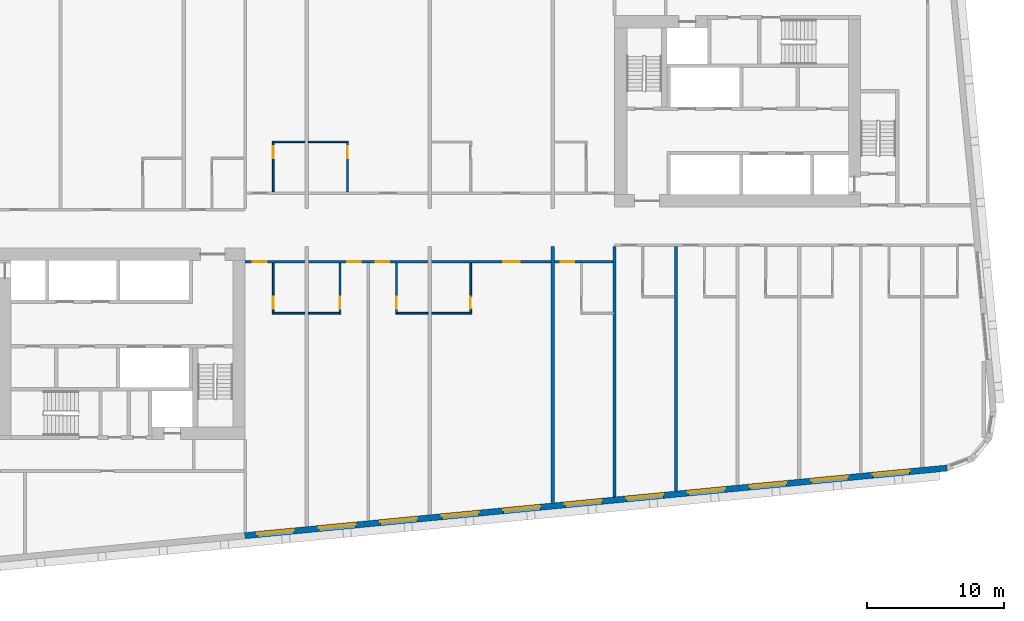
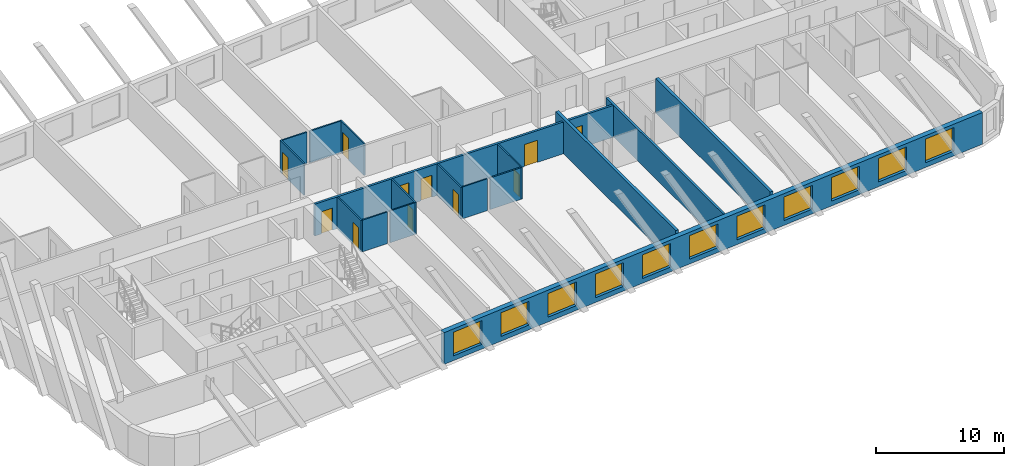
# One storey, part 4 of 13: 17 walls, 11 doors, 11 windows, 22 openings.
"""IFC4 building model written with IfcOpenShell, lengths in metres."""

from ifc_helpers import new_model, si_unit, direction, frame, frame_2d, origin, place, context, subcontext, project, spatial, rectangle, extrude, material, layer, layer_set, type_object, element, fill, save


model = new_model("IFC4")

# Units and contexts
model_context = context("Model", 3, precision=1e-05, world=origin(), true_north=direction((0.0, 1.0)))
body_context = subcontext(model_context, "Body", "Model", "MODEL_VIEW")
ifc_project = project(units=[si_unit("LENGTHUNIT", "METRE"), si_unit("AREAUNIT", "SQUARE_METRE"), si_unit("VOLUMEUNIT", "CUBIC_METRE"), si_unit("PLANEANGLEUNIT", "RADIAN"), si_unit("MASSUNIT", "GRAM", prefix="KILO")], contexts=[model_context])

# Site, building, storey
site_placement = place(None, origin())
site = spatial("IfcSite", under=ifc_project, at=site_placement, CompositionType="ELEMENT")
building_placement = place(site_placement, origin())
building = spatial("IfcBuilding", under=site, at=building_placement, Name="Kajstack Hotel Tower", CompositionType="ELEMENT")
storey_placement = place(building_placement, frame((0.0, 0.0, 186.699951171875)))
storey = spatial("IfcBuildingStorey", under=building, at=storey_placement, Name="L44", CompositionType="ELEMENT", Elevation=186.699951171875)

# Wall, openings, doors
ifc_material_1 = material(Name="Gypsum board on steel studs, mineral wool", Category="steel")
ifc_layer_1 = layer(ifc_material_1, 0.199951171875)
ifc_layer_set_1 = layer_set([ifc_layer_1], Name="Corridor wall 200")
wall_type_1 = type_object("IfcWallType", Name="Corridor wall 200", PredefinedType="PARTITIONING", material=ifc_layer_set_1)
wall_1_placement = place(storey_placement, frame((-13.5, -2.5, 0.0), z_axis=(0.0, 0.0, 1.0), x_axis=(1.0, 0.0, 0.0)))
wall_1 = element("IfcWall", 1, at=wall_1_placement, inside=storey, type_object=wall_type_1, Name="G-wall-L44-022", PredefinedType="PARTITIONING", context=body_context, shape_type="SweptSolid", body=[
    extrude(rectangle(XDim=27.0, YDim=0.199951171875, at=frame_2d((13.5, 0.0))), origin(), (0.0, 0.0, 1.0), 3.02001953125),
])
opening_1_placement = place(wall_1_placement, frame((0.574951171875, 0.0, 0.0)))
opening_1 = element("IfcOpeningElement", 2, at=opening_1_placement, cuts=wall_1, Name="Opening 44017", PredefinedType="OPENING", context=body_context, shape_type="SweptSolid", body=[
    extrude(rectangle(XDim=1.0, YDim=2.10009765625, at=frame_2d((0.5, 1.050048828125))), frame((0.0, 0.10986328125, 0.0), z_axis=(0.0, -1.0, 0.0), x_axis=(1.0, 0.0, 0.0)), (0.0, 0.0, 1.0), 0.219970703125),
])
opening_2_placement = place(wall_1_placement, frame((7.449951171875, 0.0, 0.0)))
opening_2 = element("IfcOpeningElement", 3, at=opening_2_placement, cuts=wall_1, Name="Opening 44019", PredefinedType="OPENING", context=body_context, shape_type="SweptSolid", body=[
    extrude(rectangle(XDim=1.0, YDim=2.10009765625, at=frame_2d((0.5, 1.050048828125))), frame((0.0, 0.10986328125, 0.0), z_axis=(0.0, -1.0, 0.0), x_axis=(1.0, 0.0, 0.0)), (0.0, 0.0, 1.0), 0.219970703125),
])
opening_3_placement = place(wall_1_placement, frame((9.550048828125, 0.0, 0.0)))
opening_3 = element("IfcOpeningElement", 4, at=opening_3_placement, cuts=wall_1, Name="Opening 44021", PredefinedType="OPENING", context=body_context, shape_type="SweptSolid", body=[
    extrude(rectangle(XDim=1.0, YDim=2.10009765625, at=frame_2d((0.5, 1.050048828125))), frame((0.0, 0.10986328125, 0.0), z_axis=(0.0, -1.0, 0.0), x_axis=(1.0, 0.0, 0.0)), (0.0, 0.0, 1.0), 0.219970703125),
])
opening_4_placement = place(wall_1_placement, frame((18.862060546875, 0.0, 0.0)))
opening_4 = element("IfcOpeningElement", 5, at=opening_4_placement, cuts=wall_1, Name="Opening 44023", PredefinedType="OPENING", context=body_context, shape_type="SweptSolid", body=[
    extrude(rectangle(XDim=1.199951171875, YDim=2.10009765625, at=frame_2d((0.60009765625, 1.050048828125))), frame((0.0, 0.10986328125, 0.0), z_axis=(0.0, -1.0, 0.0), x_axis=(1.0, 0.0, 0.0)), (0.0, 0.0, 1.0), 0.219970703125),
])
opening_5_placement = place(wall_1_placement, frame((23.074951171875, 0.0, 0.0)))
opening_5 = element("IfcOpeningElement", 6, at=opening_5_placement, cuts=wall_1, Name="Opening 44025", PredefinedType="OPENING", context=body_context, shape_type="SweptSolid", body=[
    extrude(rectangle(XDim=1.0, YDim=2.10009765625, at=frame_2d((0.5, 1.050048828125))), frame((0.0, 0.10986328125, 0.0), z_axis=(0.0, -1.0, 0.0), x_axis=(1.0, 0.0, 0.0)), (0.0, 0.0, 1.0), 0.219970703125),
])
ifc_material_2 = material(Name="Oak veneer on timber core, fire-rated leaf", Category="wood")
door_type_1 = type_object("IfcDoorType", Name="Flat entrance door 1000", OperationType="SINGLE_SWING_LEFT", PredefinedType="DOOR", material=ifc_material_2)
door_1_placement = place(opening_1_placement, origin())
door_1 = element("IfcDoor", 7, at=door_1_placement, inside=storey, type_object=door_type_1, Name="G-door-L44-17", OperationType="SINGLE_SWING_RIGHT", OverallHeight=2.10009765625, OverallWidth=1.0, PredefinedType="DOOR", context=body_context, shape_type="SweptSolid", body=[
    extrude(rectangle(XDim=1.0, YDim=2.10009765625, at=frame_2d((0.5, 1.050048828125))), frame((0.0, 0.02490234375, 0.0), z_axis=(0.0, -1.0, 0.0), x_axis=(1.0, 0.0, 0.0)), (0.0, 0.0, 1.0), 0.050048828125),
])
fill(opening_1, door_1)
door_2_placement = place(opening_2_placement, origin())
door_2 = element("IfcDoor", 8, at=door_2_placement, inside=storey, type_object=door_type_1, Name="G-door-L44-19", OperationType="SINGLE_SWING_LEFT", OverallHeight=2.10009765625, OverallWidth=1.0, PredefinedType="DOOR", context=body_context, shape_type="SweptSolid", body=[
    extrude(rectangle(XDim=1.0, YDim=2.10009765625, at=frame_2d((0.5, 1.050048828125))), frame((0.0, 0.02490234375, 0.0), z_axis=(0.0, -1.0, 0.0), x_axis=(1.0, 0.0, 0.0)), (0.0, 0.0, 1.0), 0.050048828125),
])
fill(opening_2, door_2)
door_3_placement = place(opening_3_placement, origin())
door_3 = element("IfcDoor", 9, at=door_3_placement, inside=storey, type_object=door_type_1, Name="G-door-L44-21", OperationType="SINGLE_SWING_LEFT", OverallHeight=2.10009765625, OverallWidth=1.0, PredefinedType="DOOR", context=body_context, shape_type="SweptSolid", body=[
    extrude(rectangle(XDim=1.0, YDim=2.10009765625, at=frame_2d((0.5, 1.050048828125))), frame((0.0, 0.02490234375, 0.0), z_axis=(0.0, -1.0, 0.0), x_axis=(1.0, 0.0, 0.0)), (0.0, 0.0, 1.0), 0.050048828125),
])
fill(opening_3, door_3)
door_4_placement = place(opening_5_placement, origin())
door_4 = element("IfcDoor", 10, at=door_4_placement, inside=storey, type_object=door_type_1, Name="G-door-L44-25", OperationType="SINGLE_SWING_RIGHT", OverallHeight=2.10009765625, OverallWidth=1.0, PredefinedType="DOOR", context=body_context, shape_type="SweptSolid", body=[
    extrude(rectangle(XDim=1.0, YDim=2.10009765625, at=frame_2d((0.5, 1.050048828125))), frame((0.0, 0.02490234375, 0.0), z_axis=(0.0, -1.0, 0.0), x_axis=(1.0, 0.0, 0.0)), (0.0, 0.0, 1.0), 0.050048828125),
])
fill(opening_5, door_4)
door_type_2 = type_object("IfcDoorType", Name="Flat entrance door 1200", OperationType="SINGLE_SWING_LEFT", PredefinedType="DOOR", material=ifc_material_2)
door_5_placement = place(opening_4_placement, origin())
door_5 = element("IfcDoor", 11, at=door_5_placement, inside=storey, type_object=door_type_2, Name="G-door-L44-23", OperationType="SINGLE_SWING_RIGHT", OverallHeight=2.10009765625, OverallWidth=1.199951171875, PredefinedType="DOOR", context=body_context, shape_type="SweptSolid", body=[
    extrude(rectangle(XDim=1.199951171875, YDim=2.10009765625, at=frame_2d((0.60009765625, 1.050048828125))), frame((0.0, 0.02490234375, 0.0), z_axis=(0.0, -1.0, 0.0), x_axis=(1.0, 0.0, 0.0)), (0.0, 0.0, 1.0), 0.050048828125),
])
fill(opening_4, door_5)

# Wall
ifc_material_3 = material(Name="Twin-frame gypsum board on steel studs, mineral wool", Category="steel")
ifc_layer_2 = layer(ifc_material_3, 0.199951171875)
ifc_layer_set_2 = layer_set([ifc_layer_2], Name="Demising wall 200")
wall_type_2 = type_object("IfcWallType", Name="Demising wall 200", PredefinedType="PARTITIONING", material=ifc_layer_set_2)
wall_2_placement = place(storey_placement, frame((13.5, -19.700927734375, 0.0), z_axis=(0.0, 0.0, 1.0), x_axis=(0.0, 1.0, 0.0)))
element("IfcWall", 12, at=wall_2_placement, inside=storey, type_object=wall_type_2, Name="G-wall-L44-033", PredefinedType="PARTITIONING", context=body_context, shape_type="SweptSolid", body=[
    extrude(rectangle(XDim=18.301025390625, YDim=0.199951171875, at=frame_2d((9.150390625, 0.0))), origin(), (0.0, 0.0, 1.0), 3.02001953125),
])

# Wall, openings, windows
ifc_material_4 = material(Name="Terracotta-faced brick masonry", Category="masonry")
ifc_layer_3 = layer(ifc_material_4, 0.449951171875)
ifc_layer_set_3 = layer_set([ifc_layer_3], Name="EW-TERRA")
wall_type_3 = type_object("IfcWallType", Name="EW-TERRA", PredefinedType="SOLIDWALL", material=ifc_layer_set_3)
wall_3_placement = place(storey_placement, frame((-13.521484375, -22.528564453125, 0.0), z_axis=(0.0, 0.0, 1.0), x_axis=(0.995396436651, 0.095843277819, 0.0)))
wall_3 = element("IfcWall", 13, at=wall_3_placement, inside=storey, type_object=wall_type_3, Name="E-wall-L44-04-02", PredefinedType="SOLIDWALL", context=body_context, shape_type="SweptSolid", body=[
    extrude(rectangle(XDim=51.57763671875, YDim=0.449951171875, at=frame_2d((25.788818359375, 0.0))), origin(), (0.0, 0.0, 1.0), 3.02001953125),
])
opening_6_placement = place(wall_3_placement, frame((0.910400390625, 0.0, 0.449951171875)))
opening_6 = element("IfcOpeningElement", 14, at=opening_6_placement, cuts=wall_3, Name="Opening W1", PredefinedType="OPENING", context=body_context, shape_type="SweptSolid", body=[
    extrude(rectangle(XDim=2.699951171875, YDim=2.25, at=frame_2d((1.35009765625, 1.125))), frame((0.0, 0.23486328125, 0.0), z_axis=(0.0, -1.0, 0.0), x_axis=(1.0, 0.0, 0.0)), (0.0, 0.0, 1.0), 0.469970703125),
])
opening_7_placement = place(wall_3_placement, frame((5.431396484375, 0.0, 0.449951171875)))
opening_7 = element("IfcOpeningElement", 15, at=opening_7_placement, cuts=wall_3, Name="Opening W1", PredefinedType="OPENING", context=body_context, shape_type="SweptSolid", body=[
    extrude(rectangle(XDim=2.699951171875, YDim=2.25, at=frame_2d((1.35009765625, 1.125))), frame((0.0, 0.23486328125, 0.0), z_axis=(0.0, -1.0, 0.0), x_axis=(1.0, 0.0, 0.0)), (0.0, 0.0, 1.0), 0.469970703125),
])
opening_8_placement = place(wall_3_placement, frame((9.9521484375, 0.0, 0.449951171875)))
opening_8 = element("IfcOpeningElement", 16, at=opening_8_placement, cuts=wall_3, Name="Opening W1", PredefinedType="OPENING", context=body_context, shape_type="SweptSolid", body=[
    extrude(rectangle(XDim=2.699951171875, YDim=2.25, at=frame_2d((1.35009765625, 1.125))), frame((0.0, 0.23486328125, 0.0), z_axis=(0.0, -1.0, 0.0), x_axis=(1.0, 0.0, 0.0)), (0.0, 0.0, 1.0), 0.469970703125),
])
opening_9_placement = place(wall_3_placement, frame((14.472900390625, 0.0, 0.449951171875)))
opening_9 = element("IfcOpeningElement", 17, at=opening_9_placement, cuts=wall_3, Name="Opening W1", PredefinedType="OPENING", context=body_context, shape_type="SweptSolid", body=[
    extrude(rectangle(XDim=2.699951171875, YDim=2.25, at=frame_2d((1.35009765625, 1.125))), frame((0.0, 0.23486328125, 0.0), z_axis=(0.0, -1.0, 0.0), x_axis=(1.0, 0.0, 0.0)), (0.0, 0.0, 1.0), 0.469970703125),
])
opening_10_placement = place(wall_3_placement, frame((18.99365234375, 0.0, 0.449951171875)))
opening_10 = element("IfcOpeningElement", 18, at=opening_10_placement, cuts=wall_3, Name="Opening W1", PredefinedType="OPENING", context=body_context, shape_type="SweptSolid", body=[
    extrude(rectangle(XDim=2.699951171875, YDim=2.25, at=frame_2d((1.35009765625, 1.125))), frame((0.0, 0.23486328125, 0.0), z_axis=(0.0, -1.0, 0.0), x_axis=(1.0, 0.0, 0.0)), (0.0, 0.0, 1.0), 0.469970703125),
])
opening_11_placement = place(wall_3_placement, frame((23.514404296875, 0.0, 0.449951171875)))
opening_11 = element("IfcOpeningElement", 19, at=opening_11_placement, cuts=wall_3, Name="Opening W1", PredefinedType="OPENING", context=body_context, shape_type="SweptSolid", body=[
    extrude(rectangle(XDim=2.699951171875, YDim=2.25, at=frame_2d((1.35009765625, 1.125))), frame((0.0, 0.23486328125, 0.0), z_axis=(0.0, -1.0, 0.0), x_axis=(1.0, 0.0, 0.0)), (0.0, 0.0, 1.0), 0.469970703125),
])
opening_12_placement = place(wall_3_placement, frame((28.035400390625, 0.0, 0.449951171875)))
opening_12 = element("IfcOpeningElement", 20, at=opening_12_placement, cuts=wall_3, Name="Opening W1", PredefinedType="OPENING", context=body_context, shape_type="SweptSolid", body=[
    extrude(rectangle(XDim=2.699951171875, YDim=2.25, at=frame_2d((1.35009765625, 1.125))), frame((0.0, 0.23486328125, 0.0), z_axis=(0.0, -1.0, 0.0), x_axis=(1.0, 0.0, 0.0)), (0.0, 0.0, 1.0), 0.469970703125),
])
opening_13_placement = place(wall_3_placement, frame((32.55615234375, 0.0, 0.449951171875)))
opening_13 = element("IfcOpeningElement", 21, at=opening_13_placement, cuts=wall_3, Name="Opening W1", PredefinedType="OPENING", context=body_context, shape_type="SweptSolid", body=[
    extrude(rectangle(XDim=2.699951171875, YDim=2.25, at=frame_2d((1.35009765625, 1.125))), frame((0.0, 0.23486328125, 0.0), z_axis=(0.0, -1.0, 0.0), x_axis=(1.0, 0.0, 0.0)), (0.0, 0.0, 1.0), 0.469970703125),
])
opening_14_placement = place(wall_3_placement, frame((37.076904296875, 0.0, 0.449951171875)))
opening_14 = element("IfcOpeningElement", 22, at=opening_14_placement, cuts=wall_3, Name="Opening W1", PredefinedType="OPENING", context=body_context, shape_type="SweptSolid", body=[
    extrude(rectangle(XDim=2.699951171875, YDim=2.25, at=frame_2d((1.35009765625, 1.125))), frame((0.0, 0.23486328125, 0.0), z_axis=(0.0, -1.0, 0.0), x_axis=(1.0, 0.0, 0.0)), (0.0, 0.0, 1.0), 0.469970703125),
])
opening_15_placement = place(wall_3_placement, frame((41.597900390625, 0.0, 0.449951171875)))
opening_15 = element("IfcOpeningElement", 23, at=opening_15_placement, cuts=wall_3, Name="Opening W1", PredefinedType="OPENING", context=body_context, shape_type="SweptSolid", body=[
    extrude(rectangle(XDim=2.699951171875, YDim=2.25, at=frame_2d((1.35009765625, 1.125))), frame((0.0, 0.23486328125, 0.0), z_axis=(0.0, -1.0, 0.0), x_axis=(1.0, 0.0, 0.0)), (0.0, 0.0, 1.0), 0.469970703125),
])
opening_16_placement = place(wall_3_placement, frame((46.11865234375, 0.0, 0.449951171875)))
opening_16 = element("IfcOpeningElement", 24, at=opening_16_placement, cuts=wall_3, Name="Opening W1", PredefinedType="OPENING", context=body_context, shape_type="SweptSolid", body=[
    extrude(rectangle(XDim=2.699951171875, YDim=2.25, at=frame_2d((1.35009765625, 1.125))), frame((0.0, 0.23486328125, 0.0), z_axis=(0.0, -1.0, 0.0), x_axis=(1.0, 0.0, 0.0)), (0.0, 0.0, 1.0), 0.469970703125),
])
ifc_material_5 = material(Name="Timber-aluminium window, triple glazed", Category="wood")
window_type = type_object("IfcWindowType", Name="WG1", PartitioningType="SINGLE_PANEL", PredefinedType="WINDOW", material=ifc_material_5)
window_1_placement = place(opening_6_placement, origin())
window_1 = element("IfcWindow", 25, at=window_1_placement, inside=storey, type_object=window_type, Name="Window W1 L44-04", OverallHeight=2.25, OverallWidth=2.699951171875, PartitioningType="SINGLE_PANEL", PredefinedType="WINDOW", context=body_context, shape_type="SweptSolid", body=[
    extrude(rectangle(XDim=2.699951171875, YDim=2.25, at=frame_2d((1.35009765625, 1.125))), frame((0.0, 0.090087890625, 0.0), z_axis=(0.0, -1.0, 0.0), x_axis=(1.0, 0.0, 0.0)), (0.0, 0.0, 1.0), 0.06005859375),
])
fill(opening_6, window_1)
window_2_placement = place(opening_7_placement, origin())
window_2 = element("IfcWindow", 26, at=window_2_placement, inside=storey, type_object=window_type, Name="Window W1 L44-04", OverallHeight=2.25, OverallWidth=2.699951171875, PartitioningType="SINGLE_PANEL", PredefinedType="WINDOW", context=body_context, shape_type="SweptSolid", body=[
    extrude(rectangle(XDim=2.699951171875, YDim=2.25, at=frame_2d((1.35009765625, 1.125))), frame((0.0, 0.090087890625, 0.0), z_axis=(0.0, -1.0, 0.0), x_axis=(1.0, 0.0, 0.0)), (0.0, 0.0, 1.0), 0.06005859375),
])
fill(opening_7, window_2)
window_3_placement = place(opening_8_placement, origin())
window_3 = element("IfcWindow", 27, at=window_3_placement, inside=storey, type_object=window_type, Name="Window W1 L44-04", OverallHeight=2.25, OverallWidth=2.699951171875, PartitioningType="SINGLE_PANEL", PredefinedType="WINDOW", context=body_context, shape_type="SweptSolid", body=[
    extrude(rectangle(XDim=2.699951171875, YDim=2.25, at=frame_2d((1.35009765625, 1.125))), frame((0.0, 0.090087890625, 0.0), z_axis=(0.0, -1.0, 0.0), x_axis=(1.0, 0.0, 0.0)), (0.0, 0.0, 1.0), 0.06005859375),
])
fill(opening_8, window_3)
window_4_placement = place(opening_9_placement, origin())
window_4 = element("IfcWindow", 28, at=window_4_placement, inside=storey, type_object=window_type, Name="Window W1 L44-04", OverallHeight=2.25, OverallWidth=2.699951171875, PartitioningType="SINGLE_PANEL", PredefinedType="WINDOW", context=body_context, shape_type="SweptSolid", body=[
    extrude(rectangle(XDim=2.699951171875, YDim=2.25, at=frame_2d((1.35009765625, 1.125))), frame((0.0, 0.090087890625, 0.0), z_axis=(0.0, -1.0, 0.0), x_axis=(1.0, 0.0, 0.0)), (0.0, 0.0, 1.0), 0.06005859375),
])
fill(opening_9, window_4)
window_5_placement = place(opening_10_placement, origin())
window_5 = element("IfcWindow", 29, at=window_5_placement, inside=storey, type_object=window_type, Name="Window W1 L44-04", OverallHeight=2.25, OverallWidth=2.699951171875, PartitioningType="SINGLE_PANEL", PredefinedType="WINDOW", context=body_context, shape_type="SweptSolid", body=[
    extrude(rectangle(XDim=2.699951171875, YDim=2.25, at=frame_2d((1.35009765625, 1.125))), frame((0.0, 0.090087890625, 0.0), z_axis=(0.0, -1.0, 0.0), x_axis=(1.0, 0.0, 0.0)), (0.0, 0.0, 1.0), 0.06005859375),
])
fill(opening_10, window_5)
window_6_placement = place(opening_11_placement, origin())
window_6 = element("IfcWindow", 30, at=window_6_placement, inside=storey, type_object=window_type, Name="Window W1 L44-04", OverallHeight=2.25, OverallWidth=2.699951171875, PartitioningType="SINGLE_PANEL", PredefinedType="WINDOW", context=body_context, shape_type="SweptSolid", body=[
    extrude(rectangle(XDim=2.699951171875, YDim=2.25, at=frame_2d((1.35009765625, 1.125))), frame((0.0, 0.090087890625, 0.0), z_axis=(0.0, -1.0, 0.0), x_axis=(1.0, 0.0, 0.0)), (0.0, 0.0, 1.0), 0.06005859375),
])
fill(opening_11, window_6)
window_7_placement = place(opening_12_placement, origin())
window_7 = element("IfcWindow", 31, at=window_7_placement, inside=storey, type_object=window_type, Name="Window W1 L44-04", OverallHeight=2.25, OverallWidth=2.699951171875, PartitioningType="SINGLE_PANEL", PredefinedType="WINDOW", context=body_context, shape_type="SweptSolid", body=[
    extrude(rectangle(XDim=2.699951171875, YDim=2.25, at=frame_2d((1.35009765625, 1.125))), frame((0.0, 0.090087890625, 0.0), z_axis=(0.0, -1.0, 0.0), x_axis=(1.0, 0.0, 0.0)), (0.0, 0.0, 1.0), 0.06005859375),
])
fill(opening_12, window_7)
window_8_placement = place(opening_13_placement, origin())
window_8 = element("IfcWindow", 32, at=window_8_placement, inside=storey, type_object=window_type, Name="Window W1 L44-04", OverallHeight=2.25, OverallWidth=2.699951171875, PartitioningType="SINGLE_PANEL", PredefinedType="WINDOW", context=body_context, shape_type="SweptSolid", body=[
    extrude(rectangle(XDim=2.699951171875, YDim=2.25, at=frame_2d((1.35009765625, 1.125))), frame((0.0, 0.090087890625, 0.0), z_axis=(0.0, -1.0, 0.0), x_axis=(1.0, 0.0, 0.0)), (0.0, 0.0, 1.0), 0.06005859375),
])
fill(opening_13, window_8)
window_9_placement = place(opening_14_placement, origin())
window_9 = element("IfcWindow", 33, at=window_9_placement, inside=storey, type_object=window_type, Name="Window W1 L44-04", OverallHeight=2.25, OverallWidth=2.699951171875, PartitioningType="SINGLE_PANEL", PredefinedType="WINDOW", context=body_context, shape_type="SweptSolid", body=[
    extrude(rectangle(XDim=2.699951171875, YDim=2.25, at=frame_2d((1.35009765625, 1.125))), frame((0.0, 0.090087890625, 0.0), z_axis=(0.0, -1.0, 0.0), x_axis=(1.0, 0.0, 0.0)), (0.0, 0.0, 1.0), 0.06005859375),
])
fill(opening_14, window_9)
window_10_placement = place(opening_15_placement, origin())
window_10 = element("IfcWindow", 34, at=window_10_placement, inside=storey, type_object=window_type, Name="Window W1 L44-04", OverallHeight=2.25, OverallWidth=2.699951171875, PartitioningType="SINGLE_PANEL", PredefinedType="WINDOW", context=body_context, shape_type="SweptSolid", body=[
    extrude(rectangle(XDim=2.699951171875, YDim=2.25, at=frame_2d((1.35009765625, 1.125))), frame((0.0, 0.090087890625, 0.0), z_axis=(0.0, -1.0, 0.0), x_axis=(1.0, 0.0, 0.0)), (0.0, 0.0, 1.0), 0.06005859375),
])
fill(opening_15, window_10)
window_11_placement = place(opening_16_placement, origin())
window_11 = element("IfcWindow", 35, at=window_11_placement, inside=storey, type_object=window_type, Name="Window W1 L44-04", OverallHeight=2.25, OverallWidth=2.699951171875, PartitioningType="SINGLE_PANEL", PredefinedType="WINDOW", context=body_context, shape_type="SweptSolid", body=[
    extrude(rectangle(XDim=2.699951171875, YDim=2.25, at=frame_2d((1.35009765625, 1.125))), frame((0.0, 0.090087890625, 0.0), z_axis=(0.0, -1.0, 0.0), x_axis=(1.0, 0.0, 0.0)), (0.0, 0.0, 1.0), 0.06005859375),
])
fill(opening_16, window_11)

# Wall, opening, door
ifc_material_6 = material(Name="Gypsum board and tiled backer on steel studs", Category="steel")
ifc_layer_4 = layer(ifc_material_6, 0.125)
ifc_layer_set_4 = layer_set([ifc_layer_4], Name="En-suite wall 125")
wall_type_4 = type_object("IfcWallType", Name="En-suite wall 125", PredefinedType="PARTITIONING", material=ifc_layer_set_4)
wall_4_placement = place(storey_placement, frame((-11.43798828125, 2.60009765625, 0.0), z_axis=(0.0, 0.0, 1.0), x_axis=(0.0, 1.0, 0.0)))
wall_4 = element("IfcWall", 36, at=wall_4_placement, inside=storey, type_object=wall_type_4, Name="G-wall-L44-014", PredefinedType="PARTITIONING", context=body_context, shape_type="SweptSolid", body=[
    extrude(rectangle(XDim=3.724853515625, YDim=0.125, at=frame_2d((1.8623046875, 0.0))), origin(), (0.0, 0.0, 1.0), 3.02001953125),
])
opening_17_placement = place(wall_4_placement, frame((2.449951171875, 0.0, 0.0)))
opening_17 = element("IfcOpeningElement", 37, at=opening_17_placement, cuts=wall_4, Name="Opening 44010", PredefinedType="OPENING", context=body_context, shape_type="SweptSolid", body=[
    extrude(rectangle(XDim=0.89990234375, YDim=2.10009765625, at=frame_2d((0.449951171875, 1.050048828125))), frame((0.0, 0.072509765625, 0.0), z_axis=(0.0, -1.0, 0.0), x_axis=(1.0, 0.0, 0.0)), (0.0, 0.0, 1.0), 0.14501953125),
])
ifc_material_7 = material(Name="Painted timber door leaf", Category="wood")
door_type_3 = type_object("IfcDoorType", Name="Room door 900", OperationType="SINGLE_SWING_LEFT", PredefinedType="DOOR", material=ifc_material_7)
door_6_placement = place(opening_17_placement, origin())
door_6 = element("IfcDoor", 38, at=door_6_placement, inside=storey, type_object=door_type_3, Name="G-door-L44-10", OperationType="SINGLE_SWING_RIGHT", OverallHeight=2.10009765625, OverallWidth=0.89990234375, PredefinedType="DOOR", context=body_context, shape_type="SweptSolid", body=[
    extrude(rectangle(XDim=0.89990234375, YDim=2.10009765625, at=frame_2d((0.449951171875, 1.050048828125))), frame((0.0, 0.02490234375, 0.0), z_axis=(0.0, -1.0, 0.0), x_axis=(1.0, 0.0, 0.0)), (0.0, 0.0, 1.0), 0.050048828125),
])
fill(opening_17, door_6)

# Wall
wall_5_placement = place(storey_placement, frame((-11.375, 6.262939453125, 0.0), z_axis=(0.0, 0.0, 1.0), x_axis=(1.0, 0.0, 0.0)))
element("IfcWall", 39, at=wall_5_placement, inside=storey, type_object=wall_type_4, Name="G-wall-L44-015", PredefinedType="PARTITIONING", context=body_context, shape_type="SweptSolid", body=[
    extrude(rectangle(XDim=2.25, YDim=0.125, at=frame_2d((1.125, 0.0))), origin(), (0.0, 0.0, 1.0), 3.02001953125),
])

# Wall, opening, door
wall_6_placement = place(storey_placement, frame((-6.012939453125, 2.60009765625, 0.0), z_axis=(0.0, 0.0, 1.0), x_axis=(0.0, 1.0, 0.0)))
wall_6 = element("IfcWall", 40, at=wall_6_placement, inside=storey, type_object=wall_type_4, Name="G-wall-L44-016", PredefinedType="PARTITIONING", context=body_context, shape_type="SweptSolid", body=[
    extrude(rectangle(XDim=3.724853515625, YDim=0.125, at=frame_2d((1.8623046875, 0.0))), origin(), (0.0, 0.0, 1.0), 3.02001953125),
])
opening_18_placement = place(wall_6_placement, frame((2.449951171875, 0.0, 0.0)))
opening_18 = element("IfcOpeningElement", 41, at=opening_18_placement, cuts=wall_6, Name="Opening 44012", PredefinedType="OPENING", context=body_context, shape_type="SweptSolid", body=[
    extrude(rectangle(XDim=0.89990234375, YDim=2.10009765625, at=frame_2d((0.449951171875, 1.050048828125))), frame((0.0, 0.072509765625, 0.0), z_axis=(0.0, -1.0, 0.0), x_axis=(1.0, 0.0, 0.0)), (0.0, 0.0, 1.0), 0.14501953125),
])
door_7_placement = place(opening_18_placement, origin())
door_7 = element("IfcDoor", 42, at=door_7_placement, inside=storey, type_object=door_type_3, Name="G-door-L44-12", OperationType="SINGLE_SWING_LEFT", OverallHeight=2.10009765625, OverallWidth=0.89990234375, PredefinedType="DOOR", context=body_context, shape_type="SweptSolid", body=[
    extrude(rectangle(XDim=0.89990234375, YDim=2.10009765625, at=frame_2d((0.449951171875, 1.050048828125))), frame((0.0, 0.02490234375, 0.0), z_axis=(0.0, -1.0, 0.0), x_axis=(1.0, 0.0, 0.0)), (0.0, 0.0, 1.0), 0.050048828125),
])
fill(opening_18, door_7)

# Wall
wall_7_placement = place(storey_placement, frame((-8.875, 6.262939453125, 0.0), z_axis=(0.0, 0.0, 1.0), x_axis=(1.0, 0.0, 0.0)))
element("IfcWall", 43, at=wall_7_placement, inside=storey, type_object=wall_type_4, Name="G-wall-L44-017", PredefinedType="PARTITIONING", context=body_context, shape_type="SweptSolid", body=[
    extrude(rectangle(XDim=2.800048828125, YDim=0.125, at=frame_2d((1.39990234375, 0.0))), origin(), (0.0, 0.0, 1.0), 3.02001953125),
])

# Wall, opening, door
wall_8_placement = place(storey_placement, frame((-11.43798828125, -6.324951171875, 0.0), z_axis=(0.0, 0.0, 1.0), x_axis=(0.0, 1.0, 0.0)))
wall_8 = element("IfcWall", 44, at=wall_8_placement, inside=storey, type_object=wall_type_4, Name="G-wall-L44-024", PredefinedType="PARTITIONING", context=body_context, shape_type="SweptSolid", body=[
    extrude(rectangle(XDim=3.724853515625, YDim=0.125, at=frame_2d((1.8623046875, 0.0))), origin(), (0.0, 0.0, 1.0), 3.02001953125),
])
opening_19_placement = place(wall_8_placement, frame((0.375, 0.0, 0.0)))
opening_19 = element("IfcOpeningElement", 45, at=opening_19_placement, cuts=wall_8, Name="Opening 44018", PredefinedType="OPENING", context=body_context, shape_type="SweptSolid", body=[
    extrude(rectangle(XDim=0.89990234375, YDim=2.10009765625, at=frame_2d((0.449951171875, 1.050048828125))), frame((0.0, 0.072509765625, 0.0), z_axis=(0.0, -1.0, 0.0), x_axis=(1.0, 0.0, 0.0)), (0.0, 0.0, 1.0), 0.14501953125),
])
door_8_placement = place(opening_19_placement, origin())
door_8 = element("IfcDoor", 46, at=door_8_placement, inside=storey, type_object=door_type_3, Name="G-door-L44-18", OperationType="SINGLE_SWING_RIGHT", OverallHeight=2.10009765625, OverallWidth=0.89990234375, PredefinedType="DOOR", context=body_context, shape_type="SweptSolid", body=[
    extrude(rectangle(XDim=0.89990234375, YDim=2.10009765625, at=frame_2d((0.449951171875, 1.050048828125))), frame((0.0, 0.02490234375, 0.0), z_axis=(0.0, -1.0, 0.0), x_axis=(1.0, 0.0, 0.0)), (0.0, 0.0, 1.0), 0.050048828125),
])
fill(opening_19, door_8)

# Wall
wall_9_placement = place(storey_placement, frame((-11.375, -6.262939453125, 0.0), z_axis=(0.0, 0.0, 1.0), x_axis=(1.0, 0.0, 0.0)))
element("IfcWall", 47, at=wall_9_placement, inside=storey, type_object=wall_type_4, Name="G-wall-L44-025", PredefinedType="PARTITIONING", context=body_context, shape_type="SweptSolid", body=[
    extrude(rectangle(XDim=2.25, YDim=0.125, at=frame_2d((1.125, 0.0))), origin(), (0.0, 0.0, 1.0), 3.02001953125),
])

# Wall, opening, door
wall_10_placement = place(storey_placement, frame((-6.56201171875, -6.324951171875, 0.0), z_axis=(0.0, 0.0, 1.0), x_axis=(0.0, 1.0, 0.0)))
wall_10 = element("IfcWall", 48, at=wall_10_placement, inside=storey, type_object=wall_type_4, Name="G-wall-L44-027", PredefinedType="PARTITIONING", context=body_context, shape_type="SweptSolid", body=[
    extrude(rectangle(XDim=3.724853515625, YDim=0.125, at=frame_2d((1.8623046875, 0.0))), origin(), (0.0, 0.0, 1.0), 3.02001953125),
])
opening_20_placement = place(wall_10_placement, frame((0.375, 0.0, 0.0)))
opening_20 = element("IfcOpeningElement", 49, at=opening_20_placement, cuts=wall_10, Name="Opening 44020", PredefinedType="OPENING", context=body_context, shape_type="SweptSolid", body=[
    extrude(rectangle(XDim=0.89990234375, YDim=2.10009765625, at=frame_2d((0.449951171875, 1.050048828125))), frame((0.0, 0.072509765625, 0.0), z_axis=(0.0, -1.0, 0.0), x_axis=(1.0, 0.0, 0.0)), (0.0, 0.0, 1.0), 0.14501953125),
])
door_9_placement = place(opening_20_placement, origin())
door_9 = element("IfcDoor", 50, at=door_9_placement, inside=storey, type_object=door_type_3, Name="G-door-L44-20", OperationType="SINGLE_SWING_LEFT", OverallHeight=2.10009765625, OverallWidth=0.89990234375, PredefinedType="DOOR", context=body_context, shape_type="SweptSolid", body=[
    extrude(rectangle(XDim=0.89990234375, YDim=2.10009765625, at=frame_2d((0.449951171875, 1.050048828125))), frame((0.0, 0.02490234375, 0.0), z_axis=(0.0, -1.0, 0.0), x_axis=(1.0, 0.0, 0.0)), (0.0, 0.0, 1.0), 0.050048828125),
])
fill(opening_20, door_9)

# Wall
wall_11_placement = place(storey_placement, frame((-8.875, -6.262939453125, 0.0), z_axis=(0.0, 0.0, 1.0), x_axis=(1.0, 0.0, 0.0)))
element("IfcWall", 51, at=wall_11_placement, inside=storey, type_object=wall_type_4, Name="G-wall-L44-028", PredefinedType="PARTITIONING", context=body_context, shape_type="SweptSolid", body=[
    extrude(rectangle(XDim=2.25, YDim=0.125, at=frame_2d((1.125, 0.0))), origin(), (0.0, 0.0, 1.0), 3.02001953125),
])

# Wall, opening, door
wall_12_placement = place(storey_placement, frame((-2.43798828125, -6.324951171875, 0.0), z_axis=(0.0, 0.0, 1.0), x_axis=(0.0, 1.0, 0.0)))
wall_12 = element("IfcWall", 52, at=wall_12_placement, inside=storey, type_object=wall_type_4, Name="G-wall-L44-029", PredefinedType="PARTITIONING", context=body_context, shape_type="SweptSolid", body=[
    extrude(rectangle(XDim=3.724853515625, YDim=0.125, at=frame_2d((1.8623046875, 0.0))), origin(), (0.0, 0.0, 1.0), 3.02001953125),
])
opening_21_placement = place(wall_12_placement, frame((0.375, 0.0, 0.0)))
opening_21 = element("IfcOpeningElement", 53, at=opening_21_placement, cuts=wall_12, Name="Opening 44022", PredefinedType="OPENING", context=body_context, shape_type="SweptSolid", body=[
    extrude(rectangle(XDim=0.89990234375, YDim=2.10009765625, at=frame_2d((0.449951171875, 1.050048828125))), frame((0.0, 0.072509765625, 0.0), z_axis=(0.0, -1.0, 0.0), x_axis=(1.0, 0.0, 0.0)), (0.0, 0.0, 1.0), 0.14501953125),
])
door_10_placement = place(opening_21_placement, origin())
door_10 = element("IfcDoor", 54, at=door_10_placement, inside=storey, type_object=door_type_3, Name="G-door-L44-22", OperationType="SINGLE_SWING_LEFT", OverallHeight=2.10009765625, OverallWidth=0.89990234375, PredefinedType="DOOR", context=body_context, shape_type="SweptSolid", body=[
    extrude(rectangle(XDim=0.89990234375, YDim=2.10009765625, at=frame_2d((0.449951171875, 1.050048828125))), frame((0.0, 0.02490234375, 0.0), z_axis=(0.0, -1.0, 0.0), x_axis=(1.0, 0.0, 0.0)), (0.0, 0.0, 1.0), 0.050048828125),
])
fill(opening_21, door_10)

# Wall
wall_13_placement = place(storey_placement, frame((-2.375, -6.262939453125, 0.0), z_axis=(0.0, 0.0, 1.0), x_axis=(1.0, 0.0, 0.0)))
element("IfcWall", 55, at=wall_13_placement, inside=storey, type_object=wall_type_4, Name="G-wall-L44-030", PredefinedType="PARTITIONING", context=body_context, shape_type="SweptSolid", body=[
    extrude(rectangle(XDim=2.25, YDim=0.125, at=frame_2d((1.125, 0.0))), origin(), (0.0, 0.0, 1.0), 3.02001953125),
])

# Wall, opening, door
wall_14_placement = place(storey_placement, frame((2.987060546875, -6.324951171875, 0.0), z_axis=(0.0, 0.0, 1.0), x_axis=(0.0, 1.0, 0.0)))
wall_14 = element("IfcWall", 56, at=wall_14_placement, inside=storey, type_object=wall_type_4, Name="G-wall-L44-031", PredefinedType="PARTITIONING", context=body_context, shape_type="SweptSolid", body=[
    extrude(rectangle(XDim=3.724853515625, YDim=0.125, at=frame_2d((1.8623046875, 0.0))), origin(), (0.0, 0.0, 1.0), 3.02001953125),
])
opening_22_placement = place(wall_14_placement, frame((0.375, 0.0, 0.0)))
opening_22 = element("IfcOpeningElement", 57, at=opening_22_placement, cuts=wall_14, Name="Opening 44024", PredefinedType="OPENING", context=body_context, shape_type="SweptSolid", body=[
    extrude(rectangle(XDim=0.89990234375, YDim=2.10009765625, at=frame_2d((0.449951171875, 1.050048828125))), frame((0.0, 0.072509765625, 0.0), z_axis=(0.0, -1.0, 0.0), x_axis=(1.0, 0.0, 0.0)), (0.0, 0.0, 1.0), 0.14501953125),
])
door_11_placement = place(opening_22_placement, origin())
door_11 = element("IfcDoor", 58, at=door_11_placement, inside=storey, type_object=door_type_3, Name="G-door-L44-24", OperationType="SINGLE_SWING_LEFT", OverallHeight=2.10009765625, OverallWidth=0.89990234375, PredefinedType="DOOR", context=body_context, shape_type="SweptSolid", body=[
    extrude(rectangle(XDim=0.89990234375, YDim=2.10009765625, at=frame_2d((0.449951171875, 1.050048828125))), frame((0.0, 0.02490234375, 0.0), z_axis=(0.0, -1.0, 0.0), x_axis=(1.0, 0.0, 0.0)), (0.0, 0.0, 1.0), 0.050048828125),
])
fill(opening_22, door_11)

# Walls
wall_15_placement = place(storey_placement, frame((0.125, -6.262939453125, 0.0), z_axis=(0.0, 0.0, 1.0), x_axis=(1.0, 0.0, 0.0)))
element("IfcWall", 59, at=wall_15_placement, inside=storey, type_object=wall_type_4, Name="G-wall-L44-032", PredefinedType="PARTITIONING", context=body_context, shape_type="SweptSolid", body=[
    extrude(rectangle(XDim=2.800048828125, YDim=0.125, at=frame_2d((1.39990234375, 0.0))), origin(), (0.0, 0.0, 1.0), 3.02001953125),
])
ifc_material_8 = material(Name="Concrete C50/60", Category="concrete")
ifc_layer_5 = layer(ifc_material_8, 0.25)
ifc_layer_set_5 = layer_set([ifc_layer_5], Name="RC cross wall 250 C50/60")
wall_type_5 = type_object("IfcWallType", Name="RC cross wall 250 C50/60", PredefinedType="SHEAR", material=ifc_layer_set_5)
wall_16_placement = place(storey_placement, frame((9.0, -20.11181640625, 0.0), z_axis=(0.0, 0.0, 1.0), x_axis=(0.0, 1.0, 0.0)))
element("IfcWall", 60, at=wall_16_placement, inside=storey, type_object=wall_type_5, Name="S-wall-L44-08", PredefinedType="SHEAR", context=body_context, shape_type="SweptSolid", body=[
    extrude(rectangle(XDim=18.7119140625, YDim=0.25, at=frame_2d((9.35595703125, 0.0))), origin(), (0.0, 0.0, 1.0), 3.300048828125),
])
wall_17_placement = place(storey_placement, frame((18.0, -19.245361328125, 0.0), z_axis=(0.0, 0.0, 1.0), x_axis=(0.0, 1.0, 0.0)))
element("IfcWall", 61, at=wall_17_placement, inside=storey, type_object=wall_type_5, Name="S-wall-L44-10", PredefinedType="SHEAR", context=body_context, shape_type="SweptSolid", body=[
    extrude(rectangle(XDim=17.845458984375, YDim=0.25, at=frame_2d((8.9228515625, 0.0))), origin(), (0.0, 0.0, 1.0), 3.300048828125),
])

save(model, "model.ifc")
